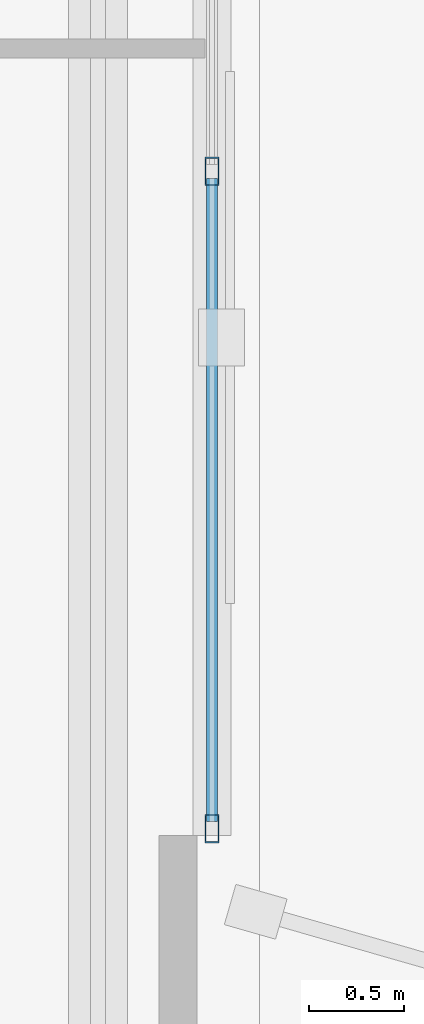
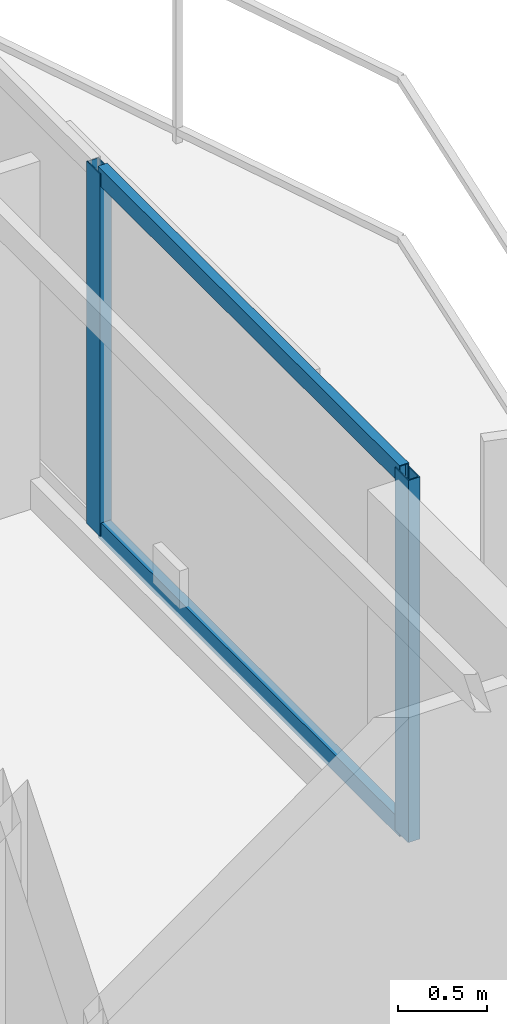
# One storey, part 7 of 18: 4 members, 1 element without a shape of its own.
"""IFC4 building model written with IfcOpenShell, lengths in metres."""

from ifc_helpers import new_model, si_unit, direction, frame, origin, origin_2d, place, context, subcontext, project, spatial, hollow_rectangle, extrude, material, layer, layer_set, material_profile, profile_set, type_object, element, aggregate, save


model = new_model("IFC4")

# Units and contexts
model_context = context("Model", 3, precision=1e-05, world=origin(), true_north=direction((0.0, 1.0)))
body_context = subcontext(model_context, "Body", "Model", "MODEL_VIEW")
ifc_project = project(units=[si_unit("LENGTHUNIT", "METRE"), si_unit("AREAUNIT", "SQUARE_METRE"), si_unit("VOLUMEUNIT", "CUBIC_METRE"), si_unit("PLANEANGLEUNIT", "RADIAN"), si_unit("MASSUNIT", "GRAM", prefix="KILO")], contexts=[model_context])

# Site, building, storey
site_placement = place(None, origin())
site = spatial("IfcSite", under=ifc_project, at=site_placement, CompositionType="ELEMENT")
building_placement = place(site_placement, origin())
building = spatial("IfcBuilding", under=site, at=building_placement, Name="Mersakhor Tower and Convention Hall", CompositionType="ELEMENT")
storey_placement = place(building_placement, frame((0.0, 0.0, 137.699951171875)))
storey = spatial("IfcBuildingStorey", under=building, at=storey_placement, Name="L38", CompositionType="ELEMENT", Elevation=137.699951171875)

# Curtain wall, members
ifc_material_1 = material(Name="Dark solar low-E aluminium curtain wall", Category="aluminium")
ifc_layer = layer(ifc_material_1, 0.169921875)
ifc_layer_set = layer_set([ifc_layer], Name="Dark solar low-E aluminium curtain wall")
curtain_wall_type = type_object("IfcCurtainWallType", Name="CW-SYS-02", PredefinedType="USERDEFINED", material=ifc_layer_set)
curtain_wall_placement = place(storey_placement, origin())
curtain_wall = element("IfcCurtainWall", 1, at=curtain_wall_placement, inside=storey, type_object=curtain_wall_type, Name="L38 Dark-Glass Curtain Wall F2-B2", ObjectType="CURTAIN WALL", PredefinedType="USERDEFINED")
ifc_material_2 = material(Name="Anodised aluminium EN AW-6063 T6", Category="aluminium")
ifc_material_profile_1 = material_profile(ifc_material_2, hollow_rectangle(XDim=0.074951171875, YDim=0.14990234375, WallThickness=0.00634765625, at=origin_2d()), Name="RHS 150x75x6.3")
ifc_profile_set_1 = profile_set([ifc_material_profile_1], Name="Anodised aluminium EN AW-6063 T6")
member_type_1 = type_object("IfcMemberType", Name="CWM-150x75", PredefinedType="MULLION", material=ifc_profile_set_1)
member_1_placement = place(storey_placement, frame((42.21923828125, 25.00244140625, 0.199951171875), z_axis=(0.0, 0.0, 1.0), x_axis=(1.0, 0.0, 0.0)))
member_1 = element("IfcMember", 2, at=member_1_placement, type_object=member_type_1, Name="CW-02 mullion 3", PredefinedType="MULLION", context=body_context, shape_type="SweptSolid", body=[
    extrude(hollow_rectangle(XDim=0.074951171875, YDim=0.14990234375, WallThickness=0.00634765625, at=origin_2d()), origin(), (0.0, 0.0, 1.0), 2.47998046875),
])
member_2_placement = place(storey_placement, frame((42.21923828125, 21.54443359375, 0.199951171875), z_axis=(0.0, 0.0, 1.0), x_axis=(1.0, 0.0, 0.0)))
member_2 = element("IfcMember", 3, at=member_2_placement, type_object=member_type_1, Name="CW-02 mullion 4", PredefinedType="MULLION", context=body_context, shape_type="SweptSolid", body=[
    extrude(hollow_rectangle(XDim=0.074951171875, YDim=0.14990234375, WallThickness=0.00634765625, at=origin_2d()), origin(), (0.0, 0.0, 1.0), 2.47998046875),
])
ifc_material_3 = material(Name="Anodised aluminium EN AW-6063 T6", Category="aluminium")
ifc_material_profile_2 = material_profile(ifc_material_3, hollow_rectangle(XDim=0.06005859375, YDim=0.1201171875, WallThickness=0.0048828125, at=origin_2d()), Name="RHS 120x60x5")
ifc_profile_set_2 = profile_set([ifc_material_profile_2], Name="Anodised aluminium EN AW-6063 T6")
member_type_2 = type_object("IfcMemberType", Name="CWT-120x60", PredefinedType="USERDEFINED", material=ifc_profile_set_2)
member_3_placement = place(storey_placement, frame((42.21923828125, 24.96484375, 0.22998046875), z_axis=(0.0, -1.0, 0.0), x_axis=(1.0, 0.0, 0.0)))
member_3 = element("IfcMember", 4, at=member_3_placement, type_object=member_type_2, Name="CW-02 transom 3.1", ObjectType="TRANSOM", PredefinedType="USERDEFINED", context=body_context, shape_type="SweptSolid", body=[
    extrude(hollow_rectangle(XDim=0.06005859375, YDim=0.1201171875, WallThickness=0.0048828125, at=origin_2d()), origin(), (0.0, 0.0, 1.0), 3.3828125),
])
member_4_placement = place(storey_placement, frame((42.21923828125, 24.96484375, 2.650146484375), z_axis=(0.0, -1.0, 0.0), x_axis=(1.0, 0.0, 0.0)))
member_4 = element("IfcMember", 5, at=member_4_placement, type_object=member_type_2, Name="CW-02 transom 3.2", ObjectType="TRANSOM", PredefinedType="USERDEFINED", context=body_context, shape_type="SweptSolid", body=[
    extrude(hollow_rectangle(XDim=0.06005859375, YDim=0.1201171875, WallThickness=0.0048828125, at=origin_2d()), origin(), (0.0, 0.0, 1.0), 3.3828125),
])
aggregate(curtain_wall, [member_1, member_2, member_3, member_4])

save(model, "model.ifc")
